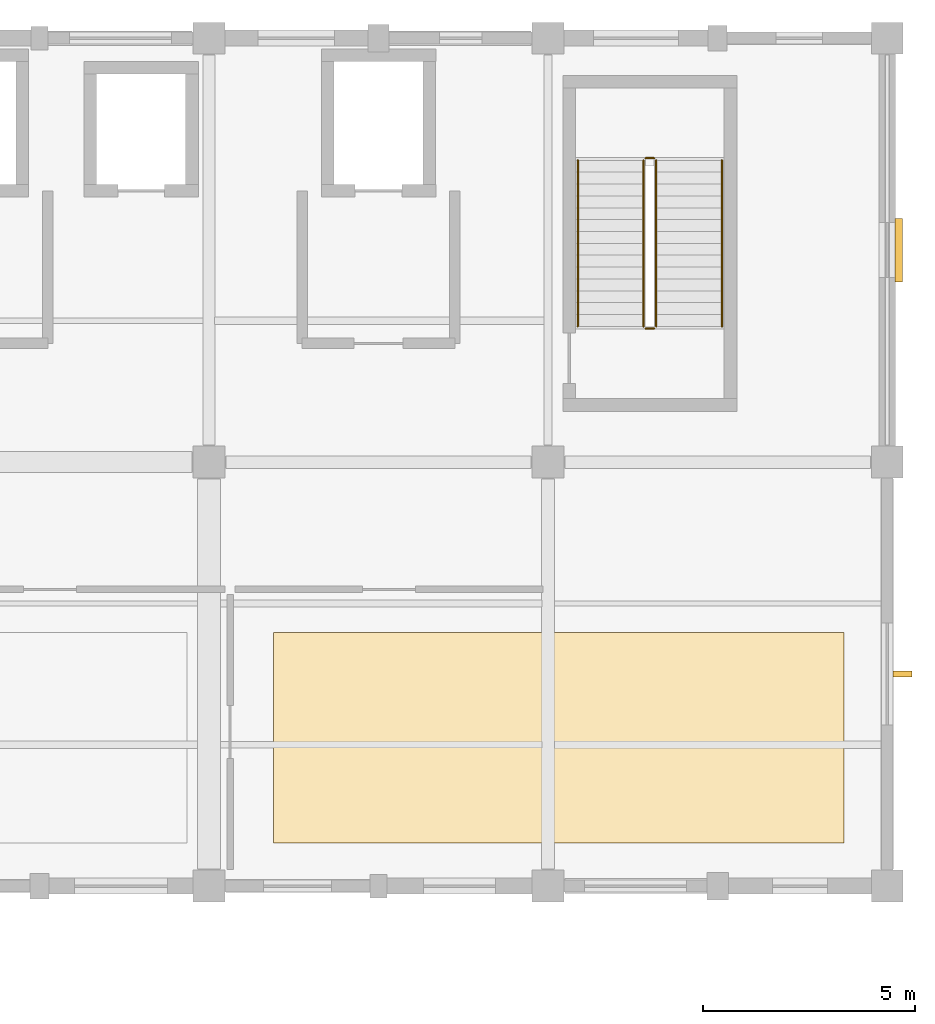
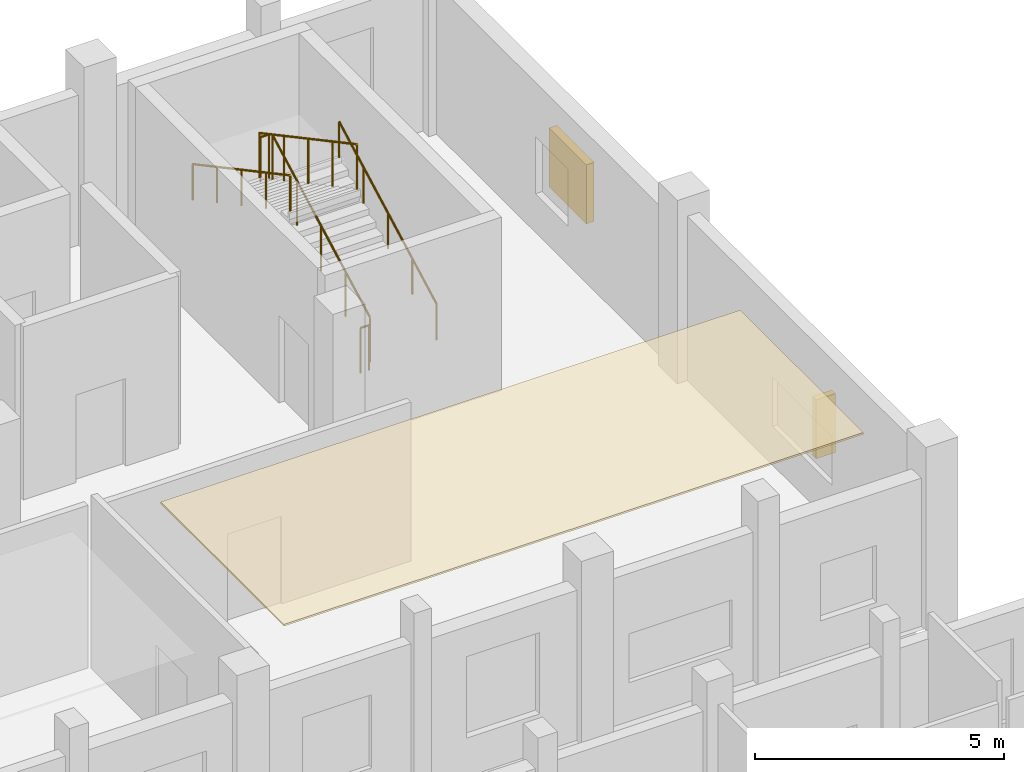
# One storey, part 183 of 183: 6 railings, 2 shading devices, 1 covering.
"""IFC4 building model written with IfcOpenShell, lengths in metres."""

from ifc_helpers import new_model, si_unit, direction, frame, origin, origin_2d, place, context, subcontext, project, spatial, polyline, rectangle, circle, outline, extrude, material, layer, layer_set, type_object, element, save


model = new_model("IFC4")

# Units and contexts
model_context = context("Model", 3, precision=1e-05, world=origin(), true_north=direction((0.0, 1.0)))
body_context = subcontext(model_context, "Body", "Model", "MODEL_VIEW")
ifc_project = project(units=[si_unit("LENGTHUNIT", "METRE"), si_unit("AREAUNIT", "SQUARE_METRE"), si_unit("VOLUMEUNIT", "CUBIC_METRE"), si_unit("PLANEANGLEUNIT", "RADIAN"), si_unit("MASSUNIT", "GRAM", prefix="KILO")], contexts=[model_context])

# Site, building, storey
site_placement = place(None, origin())
site = spatial("IfcSite", under=ifc_project, at=site_placement, CompositionType="ELEMENT")
building_placement = place(site_placement, origin())
building = spatial("IfcBuilding", under=site, at=building_placement, Name="Luwemba Playhouse", CompositionType="ELEMENT")
storey_placement = place(building_placement, frame((0.0, 0.0, 4.800048828125)))
storey = spatial("IfcBuildingStorey", under=building, at=storey_placement, Name="L01", CompositionType="ELEMENT", Elevation=4.800048828125)

# Covering
ifc_material_1 = material(Name="Perforated acoustic gypsum and timber baffle ceiling", Category="wood")
ifc_layer = layer(ifc_material_1, 0.044921875)
ifc_layer_set = layer_set([ifc_layer], Name="Perforated acoustic gypsum and timber baffle ceiling")
covering_type = type_object("IfcCoveringType", Name="COV-CEIL-AC", PredefinedType="CEILING", material=ifc_layer_set)
covering_placement = place(storey_placement, frame((0.0, 0.0, 4.204833984375)))
element("IfcCovering", 1, at=covering_placement, inside=storey, type_object=covering_type, Name="L01 Community Arts Outreach Studio acoustic ceiling cloud", PredefinedType="CEILING", context=body_context, shape_type="SweptSolid", body=[
    extrude(outline(polyline([(157.52001953125, 96.02001953125), (170.97998046875, 96.02001953125), (170.97998046875, 100.97998046875), (157.52001953125, 100.97998046875), (157.52001953125, 96.02001953125)])), origin(), (0.0, 0.0, 1.0), 0.045166015625),
])

# Railings
ifc_material_2 = material(Name="Painted wrought-iron gallery balustrade", Category="steel")
railing_type_1 = type_object("IfcRailingType", Name="RLG-BAL-INT", PredefinedType="BALUSTRADE", material=ifc_material_2)
railing_1_placement = place(storey_placement, frame((166.550048828125, 108.199951171875, 0.14990234375)))
element("IfcRailing", 2, at=railing_1_placement, inside=storey, type_object=railing_type_1, Name="L01 ST-10 stair guard 1", PredefinedType="BALUSTRADE", context=body_context, shape_type="SweptSolid", body=[
    extrude(circle(Radius=0.02392578125, at=origin_2d()), frame((0.0, 0.0, 1.09619140625), z_axis=(0.0, 0.881479153919, 0.472222935917), x_axis=(-1.0, 0.0, 0.0)), (0.0, 0.0, 1.0), 4.447265625),
    extrude(circle(Radius=0.02099609375, at=origin_2d()), origin(), (0.0, 0.0, 1.0), 1.072021484375),
    extrude(circle(Radius=0.02099609375, at=origin_2d()), frame((0.0, 0.97998046875, 0.52490234375)), (0.0, 0.0, 1.0), 1.072021484375),
    extrude(circle(Radius=0.02099609375, at=origin_2d()), frame((0.0, 1.9599609375, 1.050048828125)), (0.0, 0.0, 1.0), 1.072021484375),
    extrude(circle(Radius=0.02099609375, at=origin_2d()), frame((0.0, 2.940185546875, 1.5751953125)), (0.0, 0.0, 1.0), 1.072021484375),
    extrude(circle(Radius=0.02099609375, at=origin_2d()), frame((0.0, 3.920166015625, 2.10009765625)), (0.0, 0.0, 1.0), 1.072021484375),
])
railing_2_placement = place(storey_placement, frame((166.5, 112.169921875, 2.25)))
element("IfcRailing", 3, at=railing_2_placement, inside=storey, type_object=railing_type_1, Name="L01 ST-10 stair guard 2", PredefinedType="BALUSTRADE", context=body_context, shape_type="SweptSolid", body=[
    extrude(circle(Radius=0.02392578125, at=origin_2d()), frame((0.0, 0.0, 1.09619140625), z_axis=(-1.0, 0.0, 0.0), x_axis=(0.0, -1.0, 0.0)), (0.0, 0.0, 1.0), 0.199951171875),
    extrude(circle(Radius=0.02099609375, at=origin_2d()), origin(), (0.0, 0.0, 1.0), 1.072021484375),
    extrude(circle(Radius=0.02099609375, at=origin_2d()), frame((-0.199951171875, 0.0, 0.0)), (0.0, 0.0, 1.0), 1.072021484375),
])
railing_3_placement = place(storey_placement, frame((166.25, 112.1201171875, 2.39990234375)))
element("IfcRailing", 4, at=railing_3_placement, inside=storey, type_object=railing_type_1, Name="L01 ST-10 stair guard 3", PredefinedType="BALUSTRADE", context=body_context, shape_type="SweptSolid", body=[
    extrude(circle(Radius=0.02392578125, at=origin_2d()), frame((0.0, 0.0, 1.09619140625), z_axis=(0.0, -0.881479153919, 0.472222935917), x_axis=(1.0, 0.0, 0.0)), (0.0, 0.0, 1.0), 4.447265625),
    extrude(circle(Radius=0.02099609375, at=origin_2d()), origin(), (0.0, 0.0, 1.0), 1.072021484375),
    extrude(circle(Radius=0.02099609375, at=origin_2d()), frame((0.0, -0.97998046875, 0.52490234375)), (0.0, 0.0, 1.0), 1.072021484375),
    extrude(circle(Radius=0.02099609375, at=origin_2d()), frame((0.0, -1.9599609375, 1.050048828125)), (0.0, 0.0, 1.0), 1.072021484375),
    extrude(circle(Radius=0.02099609375, at=origin_2d()), frame((0.0, -2.940185546875, 1.5751953125)), (0.0, 0.0, 1.0), 1.072021484375),
    extrude(circle(Radius=0.02099609375, at=origin_2d()), frame((0.0, -3.920166015625, 2.10009765625)), (0.0, 0.0, 1.0), 1.072021484375),
])
railing_4_placement = place(storey_placement, frame((166.5, 108.14990234375, 0.0)))
element("IfcRailing", 5, at=railing_4_placement, inside=storey, type_object=railing_type_1, Name="L01 ST-10 stair guard 4", PredefinedType="BALUSTRADE", context=body_context, shape_type="SweptSolid", body=[
    extrude(circle(Radius=0.02392578125, at=origin_2d()), frame((0.0, 0.0, 1.09619140625), z_axis=(-1.0, 0.0, 0.0), x_axis=(0.0, -1.0, 0.0)), (0.0, 0.0, 1.0), 0.199951171875),
    extrude(circle(Radius=0.02099609375, at=origin_2d()), origin(), (0.0, 0.0, 1.0), 1.072021484375),
    extrude(circle(Radius=0.02099609375, at=origin_2d()), frame((-0.199951171875, 0.0, 0.0)), (0.0, 0.0, 1.0), 1.072021484375),
])
ifc_material_3 = material(Name="Hardwood and bronze handrail", Category="wood")
railing_type_2 = type_object("IfcRailingType", Name="RLG-HR-INT", PredefinedType="HANDRAIL", material=ifc_material_3)
railing_5_placement = place(storey_placement, frame((168.10009765625, 108.199951171875, 0.14990234375)))
element("IfcRailing", 6, at=railing_5_placement, inside=storey, type_object=railing_type_2, Name="L01 ST-10 stair handrail 1", PredefinedType="HANDRAIL", context=body_context, shape_type="SweptSolid", body=[
    extrude(circle(Radius=0.02392578125, at=origin_2d()), frame((0.0, 0.0, 0.8759765625), z_axis=(0.0, 0.881479153919, 0.472222935917), x_axis=(-1.0, 0.0, 0.0)), (0.0, 0.0, 1.0), 4.447265625),
    extrude(circle(Radius=0.02099609375, at=origin_2d()), origin(), (0.0, 0.0, 1.0), 0.851806640625),
    extrude(circle(Radius=0.02099609375, at=origin_2d()), frame((0.0, 0.97998046875, 0.52490234375)), (0.0, 0.0, 1.0), 0.851806640625),
    extrude(circle(Radius=0.02099609375, at=origin_2d()), frame((0.0, 1.9599609375, 1.050048828125)), (0.0, 0.0, 1.0), 0.851806640625),
    extrude(circle(Radius=0.02099609375, at=origin_2d()), frame((0.0, 2.940185546875, 1.5751953125)), (0.0, 0.0, 1.0), 0.851806640625),
    extrude(circle(Radius=0.02099609375, at=origin_2d()), frame((0.0, 3.920166015625, 2.10009765625)), (0.0, 0.0, 1.0), 0.851806640625),
])
railing_6_placement = place(storey_placement, frame((164.699951171875, 112.1201171875, 2.39990234375)))
element("IfcRailing", 7, at=railing_6_placement, inside=storey, type_object=railing_type_2, Name="L01 ST-10 stair handrail 2", PredefinedType="HANDRAIL", context=body_context, shape_type="SweptSolid", body=[
    extrude(circle(Radius=0.02392578125, at=origin_2d()), frame((0.0, 0.0, 0.8759765625), z_axis=(0.0, -0.881479153919, 0.472222935917), x_axis=(1.0, 0.0, 0.0)), (0.0, 0.0, 1.0), 4.447265625),
    extrude(circle(Radius=0.02099609375, at=origin_2d()), origin(), (0.0, 0.0, 1.0), 0.851806640625),
    extrude(circle(Radius=0.02099609375, at=origin_2d()), frame((0.0, -0.97998046875, 0.52490234375)), (0.0, 0.0, 1.0), 0.851806640625),
    extrude(circle(Radius=0.02099609375, at=origin_2d()), frame((0.0, -1.9599609375, 1.050048828125)), (0.0, 0.0, 1.0), 0.851806640625),
    extrude(circle(Radius=0.02099609375, at=origin_2d()), frame((0.0, -2.940185546875, 1.5751953125)), (0.0, 0.0, 1.0), 0.851806640625),
    extrude(circle(Radius=0.02099609375, at=origin_2d()), frame((0.0, -3.920166015625, 2.10009765625)), (0.0, 0.0, 1.0), 0.851806640625),
])

# Shading devices
ifc_material_4 = material(Name="Extruded terracotta brise-soleil fin on steel bracket", Category="masonry")
shading_device_type_1 = type_object("IfcShadingDeviceType", Name="SHD-BRISE", PredefinedType="USERDEFINED", material=ifc_material_4)
shading_device_1_placement = place(storey_placement, frame((172.360107421875, 100.0, 0.8251953125), z_axis=(0.0, 0.0, 1.0), x_axis=(0.0, -1.0, 0.0)))
element("IfcShadingDevice", 8, at=shading_device_1_placement, inside=storey, type_object=shading_device_type_1, Name="L01 terracotta brise-soleil fin 037", ObjectType="TERRACOTTA BRISE SOLEIL", PredefinedType="USERDEFINED", context=body_context, shape_type="SweptSolid", body=[
    extrude(rectangle(XDim=0.139892578125, YDim=0.449951171875, at=origin_2d()), origin(), (0.0, 0.0, 1.0), 1.449951171875),
])
ifc_material_5 = material(Name="Kiln-fired terracotta gelosia louvre screen", Category="masonry")
shading_device_type_2 = type_object("IfcShadingDeviceType", Name="SHD-GELOSIA", PredefinedType="JALOUSIE", material=ifc_material_5)
shading_device_2_placement = place(storey_placement, frame((172.27490234375, 110.0, 0.9248046875), z_axis=(0.0, 0.0, 1.0), x_axis=(0.0, -1.0, 0.0)))
element("IfcShadingDevice", 9, at=shading_device_2_placement, inside=storey, type_object=shading_device_type_2, Name="L01 fired-clay gelosia screen 036", PredefinedType="JALOUSIE", context=body_context, shape_type="SweptSolid", body=[
    extrude(rectangle(XDim=1.5, YDim=0.179931640625, at=origin_2d()), origin(), (0.0, 0.0, 1.0), 1.449951171875),
])

save(model, "model.ifc")
